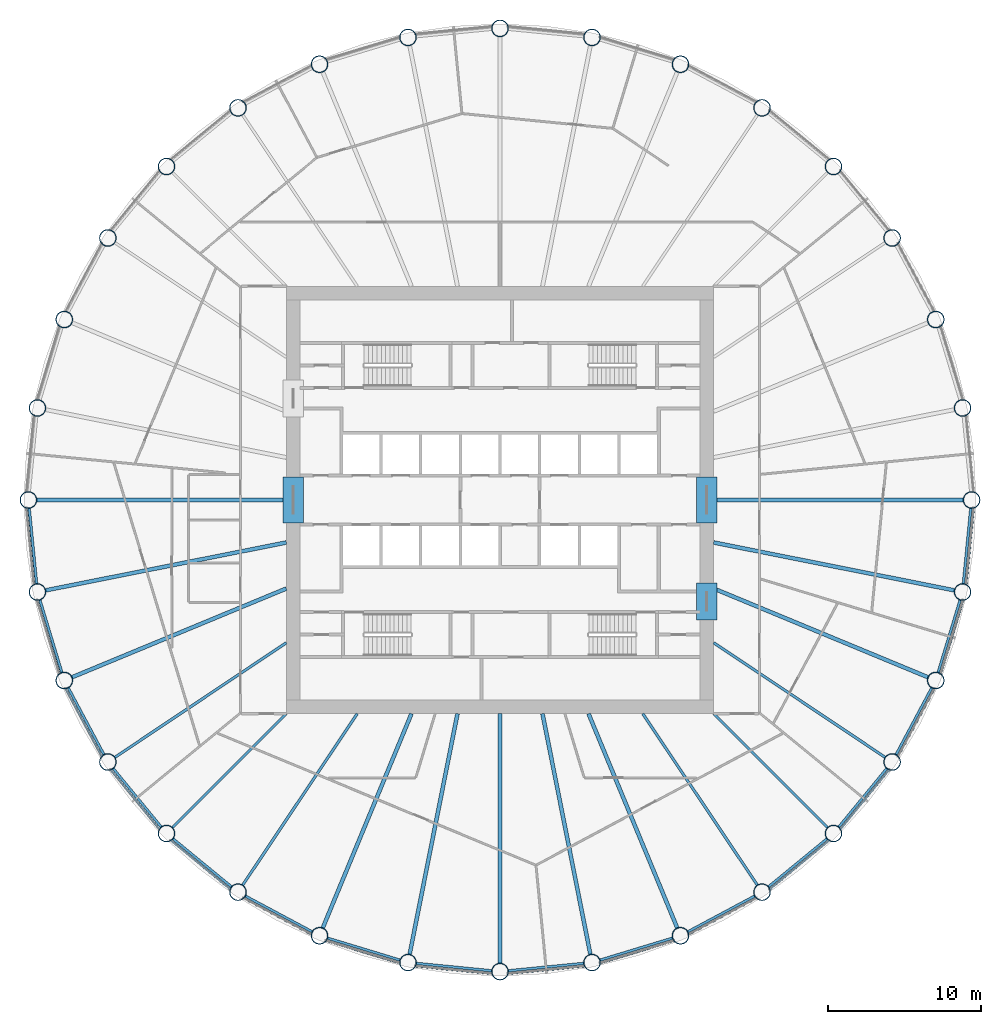
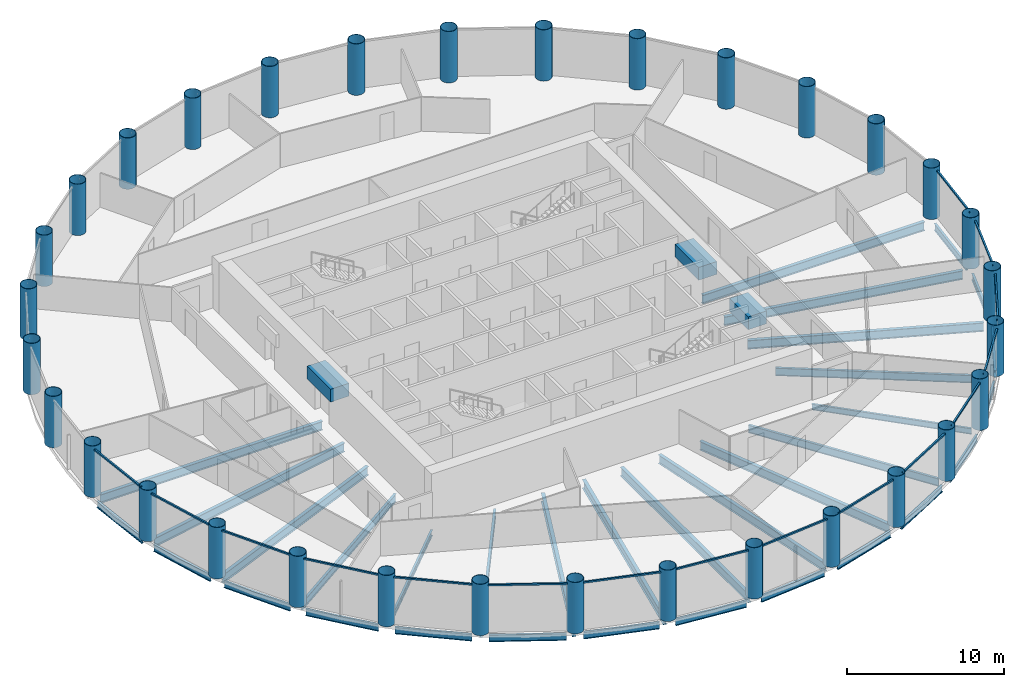
# One storey, part 1 of 9: 36 beams, 32 columns, 16 members, 16 elements without a shape of their own.
"""IFC4 building model written with IfcOpenShell, lengths in metres."""

import ifcopenshell
import ifcopenshell.guid

model = None  # the IFC model being written
_history = None  # IfcOwnerHistory: only IFC2X3 demands one
_inside = {}  # id of a spatial element -> (the spatial element, [elements in it])
_under = {}  # id of a project, library or spatial element -> (it, [spatial elements below it])
_declared = {}  # id of a project -> (the project, [libraries it declares])
_typed = {}  # id of a type object -> (the type object, [elements of that type])
_made_of = {}  # id of a material, layer set ... -> (it, [elements and type objects made of it])


def new_model(schema):
    """Start an empty IFC model of exactly this schema.

    Asked for "IFC4X3", IfcOpenShell would pick the latest addendum, in which some entities
    have other attributes; the version numbers below select the first issue.
    IFC2X3 requires an IfcOwnerHistory on every rooted entity: one is made here for all.
    """
    global model, _history
    if schema == "IFC4X3":
        model = ifcopenshell.file(schema_version=(4, 3, 0, 0))
    else:
        model = ifcopenshell.file(schema=schema)
    _inside.clear()
    _under.clear()
    _declared.clear()
    _typed.clear()
    _made_of.clear()
    _history = None
    if model.schema == "IFC2X3":
        org = make("IfcOrganization", Name="unknown")
        user = make(
            "IfcPersonAndOrganization",
            ThePerson=make("IfcPerson", FamilyName="unknown"),
            TheOrganization=org,
        )
        app = make(
            "IfcApplication",
            ApplicationDeveloper=org,
            Version="unknown",
            ApplicationFullName="unknown",
            ApplicationIdentifier="unknown",
        )
        _history = make(
            "IfcOwnerHistory",
            OwningUser=user,
            OwningApplication=app,
            ChangeAction="ADDED",
            CreationDate=0,
        )
    return model


def make(cls, **values):
    """One entity of the class cls with the attributes given. An attribute that is None is left unset."""
    return model.create_entity(
        cls, **{name: value for name, value in values.items() if value is not None}
    )


def rooted(cls, **values):
    """An entity with a GlobalId (a new one), such as an element, a storey or a relation."""
    return make(cls, GlobalId=ifcopenshell.guid.new(), OwnerHistory=_history, **values)


def si_unit(unit_type, name, prefix=None):
    """IfcSIUnit, for example si_unit("LENGTHUNIT", "METRE", prefix="MILLI")."""
    return make("IfcSIUnit", UnitType=unit_type, Prefix=prefix, Name=name)


def assignment(units):
    """IfcUnitAssignment: the units of a project."""
    return None if units is None else make("IfcUnitAssignment", Units=units)


def point(xyz):
    """IfcCartesianPoint."""
    return None if xyz is None else make("IfcCartesianPoint", Coordinates=xyz)


def direction(xyz):
    """IfcDirection."""
    return None if xyz is None else make("IfcDirection", DirectionRatios=xyz)


def frame(location, z_axis=None, x_axis=None):
    """IfcAxis2Placement3D, a coordinate frame: its origin and axes. An axis left out is left unset."""
    return make(
        "IfcAxis2Placement3D",
        Location=point(location),
        Axis=direction(z_axis),
        RefDirection=direction(x_axis),
    )


def frame_2d(location, x_axis=None):
    """IfcAxis2Placement2D, a coordinate frame in the plane: its origin and x axis."""
    return make(
        "IfcAxis2Placement2D", Location=point(location), RefDirection=direction(x_axis)
    )


def origin():
    """The frame at (0, 0, 0) with its axes left unset."""
    return frame((0.0, 0.0, 0.0))


def origin_2d():
    """The frame at (0, 0) in the plane with its x axis left unset."""
    return frame_2d((0.0, 0.0))


def place(relative_to, where):
    """IfcLocalPlacement: puts the frame where relative to a parent placement (None: the world)."""
    return make(
        "IfcLocalPlacement", PlacementRelTo=relative_to, RelativePlacement=where
    )


def context(
    kind, dimensions, precision=None, world=None, true_north=None, identifier=None
):
    """IfcGeometricRepresentationContext, for example the 3D "Model" context."""
    return make(
        "IfcGeometricRepresentationContext",
        ContextIdentifier=identifier,
        ContextType=kind,
        CoordinateSpaceDimension=dimensions,
        Precision=precision,
        WorldCoordinateSystem=world,
        TrueNorth=true_north,
    )


def subcontext(parent, identifier, kind, view, scale=None):
    """IfcGeometricRepresentationSubContext, for example "Body" below "Model"."""
    return make(
        "IfcGeometricRepresentationSubContext",
        ContextIdentifier=identifier,
        ContextType=kind,
        ParentContext=parent,
        TargetScale=scale,
        TargetView=view,
    )


def project(units=None, contexts=None):
    """IfcProject with its units and contexts."""
    return rooted(
        "IfcProject",
        Name="project",
        RepresentationContexts=contexts,
        UnitsInContext=assignment(units),
    )


def spatial(cls, under=None, at=None, **own):
    """A site, building, storey or space (cls), placed at a placement, below another one or the project."""
    s = rooted(cls, ObjectPlacement=at, **own)
    if under is not None:
        _under.setdefault(under.id(), (under, []))[1].append(s)
    return s


def profile(cls, at=None, kind="AREA", **sizes):
    """A parametric profile (cls). Its sizes go by their IFC names, for example OverallWidth=200.0."""
    return make(cls, ProfileType=kind, Position=at, **sizes)


def rectangle(**sizes):
    """IfcRectangleProfileDef."""
    return profile("IfcRectangleProfileDef", **sizes)


def hollow_circle(**sizes):
    """IfcCircleHollowProfileDef."""
    return profile("IfcCircleHollowProfileDef", **sizes)


def i_section(**sizes):
    """IfcIShapeProfileDef."""
    return profile("IfcIShapeProfileDef", **sizes)


def extrude(swept, where, along, depth):
    """IfcExtrudedAreaSolid: the profile swept, set in the frame where, extruded along a direction by depth."""
    return make(
        "IfcExtrudedAreaSolid",
        SweptArea=swept,
        Position=where,
        ExtrudedDirection=direction(along),
        Depth=depth,
    )


def shape(context_of_items, identifier, shape_type, items):
    """IfcShapeRepresentation: the items that make up one representation, for example the "Body"."""
    return make(
        "IfcShapeRepresentation",
        ContextOfItems=context_of_items,
        RepresentationIdentifier=identifier,
        RepresentationType=shape_type,
        Items=items,
    )


def material(Name=None, Category=None):
    """IfcMaterial."""
    return make("IfcMaterial", Name=Name, Category=Category)


def material_profile(
    of_material, cross_section, Name=None, Category=None, Priority=None
):
    """IfcMaterialProfile: a cross section and its material."""
    return make(
        "IfcMaterialProfile",
        Name=Name,
        Material=of_material,
        Profile=cross_section,
        Priority=Priority,
        Category=Category,
    )


def profile_set(profiles, Name=None, composite=None):
    """IfcMaterialProfileSet."""
    return make(
        "IfcMaterialProfileSet",
        Name=Name,
        MaterialProfiles=profiles,
        CompositeProfile=composite,
    )


def made_of(thing, what):
    """Note that an element or type object is made of a material, layer set ...; save() writes the relation."""
    if what is not None:
        _made_of.setdefault(what.id(), (what, []))[1].append(thing)
    return thing


def type_object(cls, material=None, **own):
    """A type object (cls), such as IfcWallType, which elements share."""
    return made_of(rooted(cls, **own), material)


def element(
    cls,
    number,
    at=None,
    inside=None,
    cuts=None,
    type_object=None,
    material=None,
    context=None,
    identifier="Body",
    shape_type=None,
    held_by="IfcProductDefinitionShape",
    body=None,
    shapes=None,
    **own,
):
    """One element of the class cls, such as IfcWall. Its Tag is "e" and its number.

    at: its placement. inside: the storey or other place that contains it. cuts: it is an
    opening in that element (IfcRelVoidsElement). A single representation is given by context,
    identifier, shape_type and body (its items); several are given by shapes. held_by: the class
    of the entity that holds the representations. save() writes the other relations.
    """
    e = rooted(cls, Tag="e%d" % number, ObjectPlacement=at, **own)
    if body is not None:
        shapes = [shape(context, identifier, shape_type, body)]
    if shapes is not None:
        e.Representation = make(held_by, Representations=shapes)
    if inside is not None:
        _inside.setdefault(inside.id(), (inside, []))[1].append(e)
    if cuts is not None:
        rooted(
            "IfcRelVoidsElement", RelatingBuildingElement=cuts, RelatedOpeningElement=e
        )
    if type_object is not None:
        _typed.setdefault(type_object.id(), (type_object, []))[1].append(e)
    return made_of(e, material)


def aggregate(whole, parts):
    """IfcRelAggregates: a whole, such as a stair, and the parts it consists of."""
    return rooted("IfcRelAggregates", RelatingObject=whole, RelatedObjects=parts)


def save(model, path):
    """Write the relations noted so far, then the file.

    IfcRelAggregates (storeys below a building ...), IfcRelContainedInSpatialStructure (elements
    in a storey), IfcRelDefinesByType, IfcRelAssociatesMaterial and IfcRelDeclares: one each for
    every whole, place, type object, material and project.
    """
    for whole, parts in _under.values():
        aggregate(whole, parts)
    for where, things in _inside.values():
        rooted(
            "IfcRelContainedInSpatialStructure",
            RelatedElements=things,
            RelatingStructure=where,
        )
    for kind, things in _typed.values():
        rooted("IfcRelDefinesByType", RelatedObjects=things, RelatingType=kind)
    for what, things in _made_of.values():
        rooted("IfcRelAssociatesMaterial", RelatedObjects=things, RelatingMaterial=what)
    for by, libraries in _declared.values():
        rooted("IfcRelDeclares", RelatingContext=by, RelatedDefinitions=libraries)
    model.write(path)


model = new_model("IFC4")

# Units and contexts
model_context = context("Model", 3, precision=1e-05, world=origin(), true_north=direction((0.0, 1.0)))
body_context = subcontext(model_context, "Body", "Model", "MODEL_VIEW")
ifc_project = project(units=[si_unit("LENGTHUNIT", "METRE"), si_unit("AREAUNIT", "SQUARE_METRE"), si_unit("VOLUMEUNIT", "CUBIC_METRE"), si_unit("PLANEANGLEUNIT", "RADIAN"), si_unit("MASSUNIT", "GRAM", prefix="KILO")], contexts=[model_context])

# Site, building, storey
site_placement = place(None, origin())
site = spatial("IfcSite", under=ifc_project, at=site_placement, CompositionType="ELEMENT")
building_placement = place(site_placement, origin())
building = spatial("IfcBuilding", under=site, at=building_placement, Name="Corvane Civic Tower", CompositionType="ELEMENT")
storey_placement = place(building_placement, frame((0.0, 0.0, 192.0)))
storey = spatial("IfcBuildingStorey", under=building, at=storey_placement, Name="L45", CompositionType="ELEMENT", Elevation=192.0)

# Columns
ifc_material_1 = material(Name="Steel ASTM A572 Gr 50", Category="steel")
ifc_material_profile_1 = material_profile(ifc_material_1, hollow_circle(Radius=0.550048828125, WallThickness=0.031982421875, at=origin_2d()), Name="CHS1100X32")
ifc_profile_set_1 = profile_set([ifc_material_profile_1], Name="Steel ASTM A572 Gr 50")
column_type = type_object("IfcColumnType", Name="COMPOSITE COLUMN CHS1100X32", PredefinedType="COLUMN", material=ifc_profile_set_1)
for number, where, z_axis, x_axis, name in (
    (1, (0.0, 30.89990234375, 0.0), (0.0, 0.0, 1.0), (1.0, 0.0, 0.0), "COL-L45-C01"),
    (2, (6.0283203125, 30.30615234375, 0.0), (0.0, 0.0, 1.0), (1.0, 0.0, 0.0), "COL-L45-C02"),
    (3, (11.824951171875, 28.5478515625, 0.0), (0.0, 0.0, 1.0), (1.0, 0.0, 0.0), "COL-L45-C03"),
    (4, (17.167236328125, 25.6923828125, 0.0), (0.0, 0.0, 1.0), (1.0, 0.0, 0.0), "COL-L45-C04"),
    (5, (21.849609375, 21.849609375, 0.0), (0.0, 0.0, 1.0), (1.0, 0.0, 0.0), "COL-L45-C05"),
    (6, (25.6923828125, 17.167236328125, 0.0), (0.0, 0.0, 1.0), (1.0, 0.0, 0.0), "COL-L45-C06"),
    (7, (28.5478515625, 11.824951171875, 0.0), (0.0, 0.0, 1.0), (1.0, 0.0, 0.0), "COL-L45-C07"),
    (8, (30.30615234375, 6.0283203125, 0.0), (0.0, 0.0, 1.0), (1.0, 0.0, 0.0), "COL-L45-C08"),
    (9, (30.89990234375, 0.0, 0.0), (0.0, 0.0, 1.0), (1.0, 0.0, 0.0), "COL-L45-C09"),
    (10, (30.30615234375, -6.0283203125, 0.0), (0.0, 0.0, 1.0), (1.0, 0.0, 0.0), "COL-L45-C10"),
    (11, (28.5478515625, -11.824951171875, 0.0), (0.0, 0.0, 1.0), (1.0, 0.0, 0.0), "COL-L45-C11"),
    (12, (25.6923828125, -17.167236328125, 0.0), (0.0, 0.0, 1.0), (1.0, 0.0, 0.0), "COL-L45-C12"),
    (13, (21.849609375, -21.849609375, 0.0), (0.0, 0.0, 1.0), (1.0, 0.0, 0.0), "COL-L45-C13"),
    (14, (17.167236328125, -25.6923828125, 0.0), (0.0, 0.0, 1.0), (1.0, 0.0, 0.0), "COL-L45-C14"),
    (15, (11.824951171875, -28.5478515625, 0.0), (0.0, 0.0, 1.0), (1.0, 0.0, 0.0), "COL-L45-C15"),
    (16, (6.0283203125, -30.30615234375, 0.0), (0.0, 0.0, 1.0), (1.0, 0.0, 0.0), "COL-L45-C16"),
    (17, (0.0, -30.89990234375, 0.0), (0.0, 0.0, 1.0), (1.0, 0.0, 0.0), "COL-L45-C17"),
    (18, (-6.0283203125, -30.30615234375, 0.0), (0.0, 0.0, 1.0), (1.0, 0.0, 0.0), "COL-L45-C18"),
    (19, (-11.824951171875, -28.5478515625, 0.0), (0.0, 0.0, 1.0), (1.0, 0.0, 0.0), "COL-L45-C19"),
    (20, (-17.167236328125, -25.6923828125, 0.0), (0.0, 0.0, 1.0), (1.0, 0.0, 0.0), "COL-L45-C20"),
    (21, (-21.849609375, -21.849609375, 0.0), (0.0, 0.0, 1.0), (1.0, 0.0, 0.0), "COL-L45-C21"),
    (22, (-25.6923828125, -17.167236328125, 0.0), (0.0, 0.0, 1.0), (1.0, 0.0, 0.0), "COL-L45-C22"),
    (23, (-28.5478515625, -11.824951171875, 0.0), (0.0, 0.0, 1.0), (1.0, 0.0, 0.0), "COL-L45-C23"),
    (24, (-30.30615234375, -6.0283203125, 0.0), (0.0, 0.0, 1.0), (1.0, 0.0, 0.0), "COL-L45-C24"),
    (25, (-30.89990234375, 0.0, 0.0), (0.0, 0.0, 1.0), (1.0, 0.0, 0.0), "COL-L45-C25"),
    (26, (-30.30615234375, 6.0283203125, 0.0), (0.0, 0.0, 1.0), (1.0, 0.0, 0.0), "COL-L45-C26"),
    (27, (-28.5478515625, 11.824951171875, 0.0), (0.0, 0.0, 1.0), (1.0, 0.0, 0.0), "COL-L45-C27"),
    (28, (-25.6923828125, 17.167236328125, 0.0), (0.0, 0.0, 1.0), (1.0, 0.0, 0.0), "COL-L45-C28"),
    (29, (-21.849609375, 21.849609375, 0.0), (0.0, 0.0, 1.0), (1.0, 0.0, 0.0), "COL-L45-C29"),
    (30, (-17.167236328125, 25.6923828125, 0.0), (0.0, 0.0, 1.0), (1.0, 0.0, 0.0), "COL-L45-C30"),
    (31, (-11.824951171875, 28.5478515625, 0.0), (0.0, 0.0, 1.0), (1.0, 0.0, 0.0), "COL-L45-C31"),
    (32, (-6.0283203125, 30.30615234375, 0.0), (0.0, 0.0, 1.0), (1.0, 0.0, 0.0), "COL-L45-C32"),
):
    element("IfcColumn", number, at=place(storey_placement, frame(where, z_axis=z_axis, x_axis=x_axis)), inside=storey, type_object=column_type, Name=name, PredefinedType="COLUMN", context=body_context, shape_type="SweptSolid", body=[
        extrude(hollow_circle(Radius=0.550048828125, WallThickness=0.031982421875, at=origin_2d()), origin(), (0.0, 0.0, 1.0), 4.0),
    ])

# Beams
ifc_material_2 = material(Name="Concrete C60/75", Category="concrete")
ifc_material_profile_2 = material_profile(ifc_material_2, rectangle(XDim=1.35009765625, YDim=1.0, at=origin_2d()), Name="COUPLING BEAM 1350X1000")
ifc_profile_set_2 = profile_set([ifc_material_profile_2], Name="Concrete C60/75")
beam_type_1 = type_object("IfcBeamType", Name="COUPLING BEAM COUPLING BEAM 1350X1000", PredefinedType="BEAM", material=ifc_profile_set_2)
for number, where, z_axis, x_axis, name in (
    (33, (-13.550048828125, -1.5, 2.60009765625), (0.0, 1.0, 0.0), (-1.0, 0.0, 0.0), "BM-L45-cpl-CW-LW"),
    (34, (13.550048828125, -1.5, 2.60009765625), (0.0, 1.0, 0.0), (-1.0, 0.0, 0.0), "BM-L45-cpl-CW-LE"),
):
    element("IfcBeam", number, at=place(storey_placement, frame(where, z_axis=z_axis, x_axis=x_axis)), inside=storey, type_object=beam_type_1, Name=name, PredefinedType="BEAM", context=body_context, shape_type="SweptSolid", body=[
        extrude(rectangle(XDim=1.35009765625, YDim=1.0, at=origin_2d()), origin(), (0.0, 0.0, 1.0), 3.0),
    ])
beam_1_placement = place(storey_placement, frame((13.550048828125, -7.85009765625, 2.60009765625), z_axis=(0.0, 1.0, 0.0), x_axis=(-1.0, 0.0, 0.0)))
element("IfcBeam", 35, at=beam_1_placement, inside=storey, type_object=beam_type_1, Name="BM-L45-cpl-CW-ES", PredefinedType="BEAM", context=body_context, shape_type="SweptSolid", body=[
    extrude(rectangle(XDim=1.35009765625, YDim=1.0, at=origin_2d()), origin(), (0.0, 0.0, 1.0), 2.400146484375),
])
ifc_material_3 = material(Name="Steel ASTM A992 Gr 50", Category="steel")
ifc_material_profile_3 = material_profile(ifc_material_3, i_section(OverallWidth=0.165771484375, OverallDepth=0.5283203125, WebThickness=0.009765625, FlangeThickness=0.013671875, at=origin_2d()), Name="W21X50")
ifc_profile_set_3 = profile_set([ifc_material_profile_3], Name="Steel ASTM A992 Gr 50")
beam_type_2 = type_object("IfcBeamType", Name="EDGE BEAM W21X50", PredefinedType="BEAM", material=ifc_profile_set_3)
beam_2_placement = place(storey_placement, frame((30.845947265625, -0.54736328125, -0.564208984375), z_axis=(-0.09800181167, -0.995186236294, 0.0), x_axis=(0.995186236294, -0.09800181167, 0.0)))
element("IfcBeam", 36, at=beam_2_placement, inside=storey, type_object=beam_type_2, Name="BM-L45-E09", PredefinedType="BEAM", context=body_context, shape_type="SweptSolid", body=[
    extrude(i_section(OverallWidth=0.165771484375, OverallDepth=0.5283203125, WebThickness=0.009765625, FlangeThickness=0.013671875, at=origin_2d()), origin(), (0.0, 0.0, 1.0), 4.95751953125),
])
beam_3_placement = place(storey_placement, frame((30.146484375, -6.5546875, -0.564208984375), z_axis=(-0.290269821381, -0.956944842086, 0.0), x_axis=(0.956944842086, -0.290269821381, 0.0)))
element("IfcBeam", 37, at=beam_3_placement, inside=storey, type_object=beam_type_2, Name="BM-L45-E10", PredefinedType="BEAM", context=body_context, shape_type="SweptSolid", body=[
    extrude(i_section(OverallWidth=0.165771484375, OverallDepth=0.5283203125, WebThickness=0.009765625, FlangeThickness=0.013671875, at=origin_2d()), origin(), (0.0, 0.0, 1.0), 4.957275390625),
])
for number, where, z_axis, x_axis, name in (
    (38, (28.28857421875, -12.31005859375, -0.564208984375), (-0.471395763042, -0.881921784846, 0.0), (0.881921784846, -0.471395763042, 0.0), "BM-L45-E11"),
    (39, (25.343505859375, -17.59228515625, -0.564208984375), (-0.634387546532, -0.77301516208, 0.0), (0.77301516208, -0.634387546532, 0.0), "BM-L45-E12"),
    (40, (21.424560546875, -22.198486328125, -0.564208984375), (-0.77301516208, -0.634387546532, 0.0), (0.634387546532, -0.77301516208, 0.0), "BM-L45-E13"),
    (41, (16.68212890625, -25.95166015625, -0.564208984375), (-0.881921784846, -0.471395763042, 0.0), (0.471395763042, -0.881921784846, 0.0), "BM-L45-E14"),
):
    element("IfcBeam", number, at=place(storey_placement, frame(where, z_axis=z_axis, x_axis=x_axis)), inside=storey, type_object=beam_type_2, Name=name, PredefinedType="BEAM", context=body_context, shape_type="SweptSolid", body=[
        extrude(i_section(OverallWidth=0.165771484375, OverallDepth=0.5283203125, WebThickness=0.009765625, FlangeThickness=0.013671875, at=origin_2d()), origin(), (0.0, 0.0, 1.0), 4.95751953125),
    ])
beam_4_placement = place(storey_placement, frame((11.298583984375, -28.70751953125, -0.564208984375), z_axis=(-0.956944842086, -0.290269821381, 0.0), x_axis=(0.290269821381, -0.956944842086, 0.0)))
element("IfcBeam", 42, at=beam_4_placement, inside=storey, type_object=beam_type_2, Name="BM-L45-E15", PredefinedType="BEAM", context=body_context, shape_type="SweptSolid", body=[
    extrude(i_section(OverallWidth=0.165771484375, OverallDepth=0.5283203125, WebThickness=0.009765625, FlangeThickness=0.013671875, at=origin_2d()), origin(), (0.0, 0.0, 1.0), 4.957275390625),
])
for number, where, z_axis, x_axis, name in (
    (43, (5.48095703125, -30.360107421875, -0.564208984375), (-0.995186236294, -0.09800181167, 0.0), (0.09800181167, -0.995186236294, 0.0), "BM-L45-E16"),
    (44, (-0.54736328125, -30.845947265625, -0.564208984375), (-0.995186236294, 0.09800181167, 0.0), (-0.09800181167, -0.995186236294, 0.0), "BM-L45-E17"),
):
    element("IfcBeam", number, at=place(storey_placement, frame(where, z_axis=z_axis, x_axis=x_axis)), inside=storey, type_object=beam_type_2, Name=name, PredefinedType="BEAM", context=body_context, shape_type="SweptSolid", body=[
        extrude(i_section(OverallWidth=0.165771484375, OverallDepth=0.5283203125, WebThickness=0.009765625, FlangeThickness=0.013671875, at=origin_2d()), origin(), (0.0, 0.0, 1.0), 4.95751953125),
    ])
beam_5_placement = place(storey_placement, frame((-6.5546875, -30.146484375, -0.564208984375), z_axis=(-0.956944842086, 0.290269821381, 0.0), x_axis=(-0.290269821381, -0.956944842086, 0.0)))
element("IfcBeam", 45, at=beam_5_placement, inside=storey, type_object=beam_type_2, Name="BM-L45-E18", PredefinedType="BEAM", context=body_context, shape_type="SweptSolid", body=[
    extrude(i_section(OverallWidth=0.165771484375, OverallDepth=0.5283203125, WebThickness=0.009765625, FlangeThickness=0.013671875, at=origin_2d()), origin(), (0.0, 0.0, 1.0), 4.957275390625),
])
for number, where, z_axis, x_axis, name in (
    (46, (-12.31005859375, -28.28857421875, -0.564208984375), (-0.881921784846, 0.471395763042, 0.0), (-0.471395763042, -0.881921784846, 0.0), "BM-L45-E19"),
    (47, (-17.59228515625, -25.343505859375, -0.564208984375), (-0.77301516208, 0.634387546532, 0.0), (-0.634387546532, -0.77301516208, 0.0), "BM-L45-E20"),
    (48, (-22.198486328125, -21.424560546875, -0.564208984375), (-0.634387546532, 0.77301516208, 0.0), (-0.77301516208, -0.634387546532, 0.0), "BM-L45-E21"),
    (49, (-25.95166015625, -16.68212890625, -0.564208984375), (-0.471395763042, 0.881921784846, 0.0), (-0.881921784846, -0.471395763042, 0.0), "BM-L45-E22"),
):
    element("IfcBeam", number, at=place(storey_placement, frame(where, z_axis=z_axis, x_axis=x_axis)), inside=storey, type_object=beam_type_2, Name=name, PredefinedType="BEAM", context=body_context, shape_type="SweptSolid", body=[
        extrude(i_section(OverallWidth=0.165771484375, OverallDepth=0.5283203125, WebThickness=0.009765625, FlangeThickness=0.013671875, at=origin_2d()), origin(), (0.0, 0.0, 1.0), 4.95751953125),
    ])
beam_6_placement = place(storey_placement, frame((-28.70751953125, -11.298583984375, -0.564208984375), z_axis=(-0.290269821381, 0.956944842086, 0.0), x_axis=(-0.956944842086, -0.290269821381, 0.0)))
element("IfcBeam", 50, at=beam_6_placement, inside=storey, type_object=beam_type_2, Name="BM-L45-E23", PredefinedType="BEAM", context=body_context, shape_type="SweptSolid", body=[
    extrude(i_section(OverallWidth=0.165771484375, OverallDepth=0.5283203125, WebThickness=0.009765625, FlangeThickness=0.013671875, at=origin_2d()), origin(), (0.0, 0.0, 1.0), 4.957275390625),
])
beam_7_placement = place(storey_placement, frame((-30.360107421875, -5.48095703125, -0.564208984375), z_axis=(-0.09800181167, 0.995186236294, 0.0), x_axis=(-0.995186236294, -0.09800181167, 0.0)))
element("IfcBeam", 51, at=beam_7_placement, inside=storey, type_object=beam_type_2, Name="BM-L45-E24", PredefinedType="BEAM", context=body_context, shape_type="SweptSolid", body=[
    extrude(i_section(OverallWidth=0.165771484375, OverallDepth=0.5283203125, WebThickness=0.009765625, FlangeThickness=0.013671875, at=origin_2d()), origin(), (0.0, 0.0, 1.0), 4.95751953125),
])
ifc_material_4 = material(Name="Steel ASTM A992 Gr 50", Category="steel")
ifc_material_profile_4 = material_profile(ifc_material_4, i_section(OverallWidth=0.15283203125, OverallDepth=0.45458984375, WebThickness=0.008056640625, FlangeThickness=0.013427734375, at=origin_2d()), Name="W18X40")
ifc_profile_set_4 = profile_set([ifc_material_profile_4], Name="Steel ASTM A992 Gr 50")
beam_type_3 = type_object("IfcBeamType", Name="FLOOR GIRDER W18X40", PredefinedType="BEAM", material=ifc_profile_set_4)
for number, where, z_axis, x_axis, name in (
    (52, (14.0, -14.0, -0.52734375), (0.707106781187, -0.707106781187, 0.0), (0.707106781187, 0.707106781187, 0.0), "BM-L45-G13"),
    (53, (-14.0, -14.0, -0.52734375), (-0.707106781187, -0.707106781187, 0.0), (0.707106781187, -0.707106781187, 0.0), "BM-L45-G21"),
):
    element("IfcBeam", number, at=place(storey_placement, frame(where, z_axis=z_axis, x_axis=x_axis)), inside=storey, type_object=beam_type_3, Name=name, PredefinedType="BEAM", context=body_context, shape_type="SweptSolid", body=[
        extrude(i_section(OverallWidth=0.15283203125, OverallDepth=0.45458984375, WebThickness=0.008056640625, FlangeThickness=0.013427734375, at=origin_2d()), origin(), (0.0, 0.0, 1.0), 10.551025390625),
    ])
ifc_material_5 = material(Name="Steel ASTM A992 Gr 50", Category="steel")
ifc_material_profile_5 = material_profile(ifc_material_5, i_section(OverallWidth=0.177978515625, OverallDepth=0.599365234375, WebThickness=0.010009765625, FlangeThickness=0.012939453125, at=origin_2d()), Name="W24X55")
ifc_profile_set_5 = profile_set([ifc_material_profile_5], Name="Steel ASTM A992 Gr 50")
beam_type_4 = type_object("IfcBeamType", Name="FLOOR GIRDER W24X55", PredefinedType="BEAM", material=ifc_profile_set_5)
for number, where, z_axis, x_axis, name in (
    (54, (14.0, -9.3544921875, -0.599609375), (0.83146888399, -0.555571323015, 0.0), (0.555571323015, 0.83146888399, 0.0), "BM-L45-G12"),
    (55, (9.3544921875, -14.0, -0.599609375), (0.555571323015, -0.83146888399, 0.0), (0.83146888399, 0.555571323015, 0.0), "BM-L45-G14"),
    (56, (-9.3544921875, -14.0, -0.599609375), (-0.555571323015, -0.83146888399, 0.0), (0.83146888399, -0.555571323015, 0.0), "BM-L45-G20"),
    (57, (-14.0, -9.3544921875, -0.599609375), (-0.83146888399, -0.555571323015, 0.0), (0.555571323015, -0.83146888399, 0.0), "BM-L45-G22"),
):
    element("IfcBeam", number, at=place(storey_placement, frame(where, z_axis=z_axis, x_axis=x_axis)), inside=storey, type_object=beam_type_4, Name=name, PredefinedType="BEAM", context=body_context, shape_type="SweptSolid", body=[
        extrude(i_section(OverallWidth=0.177978515625, OverallDepth=0.599365234375, WebThickness=0.010009765625, FlangeThickness=0.012939453125, at=origin_2d()), origin(), (0.0, 0.0, 1.0), 13.512451171875),
    ])
ifc_material_6 = material(Name="Steel ASTM A992 Gr 50", Category="steel")
ifc_material_profile_6 = material_profile(ifc_material_6, i_section(OverallWidth=0.25390625, OverallDepth=0.67822265625, WebThickness=0.01171875, FlangeThickness=0.016357421875, at=origin_2d()), Name="W27X84")
ifc_profile_set_6 = profile_set([ifc_material_profile_6], Name="Steel ASTM A992 Gr 50")
beam_type_5 = type_object("IfcBeamType", Name="FLOOR GIRDER W27X84", PredefinedType="BEAM", material=ifc_profile_set_6)
beam_8_placement = place(storey_placement, frame((14.0, 0.0, -0.63916015625), z_axis=(1.0, 0.0, 0.0), x_axis=(0.0, 1.0, 0.0)))
element("IfcBeam", 58, at=beam_8_placement, inside=storey, type_object=beam_type_5, Name="BM-L45-G09", PredefinedType="BEAM", context=body_context, shape_type="SweptSolid", body=[
    extrude(i_section(OverallWidth=0.25390625, OverallDepth=0.67822265625, WebThickness=0.01171875, FlangeThickness=0.016357421875, at=origin_2d()), origin(), (0.0, 0.0, 1.0), 16.35009765625),
])
beam_9_placement = place(storey_placement, frame((14.0, -2.78466796875, -0.63916015625), z_axis=(0.980785162999, -0.195090912248, 0.0), x_axis=(0.195090912248, 0.980785162999, 0.0)))
element("IfcBeam", 59, at=beam_9_placement, inside=storey, type_object=beam_type_5, Name="BM-L45-G10", PredefinedType="BEAM", context=body_context, shape_type="SweptSolid", body=[
    extrude(i_section(OverallWidth=0.25390625, OverallDepth=0.67822265625, WebThickness=0.01171875, FlangeThickness=0.016357421875, at=origin_2d()), origin(), (0.0, 0.0, 1.0), 16.07568359375),
])
for number, where, z_axis, x_axis, name in (
    (60, (14.0, -5.799072265625, -0.63916015625), (0.923880551114, -0.38268097323, 0.0), (0.38268097323, 0.923880551114, 0.0), "BM-L45-G11"),
    (61, (5.799072265625, -14.0, -0.63916015625), (0.38268097323, -0.923880551114, 0.0), (0.923880551114, 0.38268097323, 0.0), "BM-L45-G15"),
):
    element("IfcBeam", number, at=place(storey_placement, frame(where, z_axis=z_axis, x_axis=x_axis)), inside=storey, type_object=beam_type_5, Name=name, PredefinedType="BEAM", context=body_context, shape_type="SweptSolid", body=[
        extrude(i_section(OverallWidth=0.25390625, OverallDepth=0.67822265625, WebThickness=0.01171875, FlangeThickness=0.016357421875, at=origin_2d()), origin(), (0.0, 0.0, 1.0), 15.196533203125),
    ])
beam_10_placement = place(storey_placement, frame((2.78466796875, -14.0, -0.63916015625), z_axis=(0.195090912248, -0.980785162999, 0.0), x_axis=(0.980785162999, 0.195090912248, 0.0)))
element("IfcBeam", 62, at=beam_10_placement, inside=storey, type_object=beam_type_5, Name="BM-L45-G16", PredefinedType="BEAM", context=body_context, shape_type="SweptSolid", body=[
    extrude(i_section(OverallWidth=0.25390625, OverallDepth=0.67822265625, WebThickness=0.01171875, FlangeThickness=0.016357421875, at=origin_2d()), origin(), (0.0, 0.0, 1.0), 16.07568359375),
])
beam_11_placement = place(storey_placement, frame((0.0, -14.0, -0.63916015625), z_axis=(0.0, -1.0, 0.0), x_axis=(1.0, 0.0, 0.0)))
element("IfcBeam", 63, at=beam_11_placement, inside=storey, type_object=beam_type_5, Name="BM-L45-G17", PredefinedType="BEAM", context=body_context, shape_type="SweptSolid", body=[
    extrude(i_section(OverallWidth=0.25390625, OverallDepth=0.67822265625, WebThickness=0.01171875, FlangeThickness=0.016357421875, at=origin_2d()), origin(), (0.0, 0.0, 1.0), 16.35009765625),
])
beam_12_placement = place(storey_placement, frame((-2.78466796875, -14.0, -0.63916015625), z_axis=(-0.195090912248, -0.980785162999, 0.0), x_axis=(0.980785162999, -0.195090912248, 0.0)))
element("IfcBeam", 64, at=beam_12_placement, inside=storey, type_object=beam_type_5, Name="BM-L45-G18", PredefinedType="BEAM", context=body_context, shape_type="SweptSolid", body=[
    extrude(i_section(OverallWidth=0.25390625, OverallDepth=0.67822265625, WebThickness=0.01171875, FlangeThickness=0.016357421875, at=origin_2d()), origin(), (0.0, 0.0, 1.0), 16.07568359375),
])
for number, where, z_axis, x_axis, name in (
    (65, (-5.799072265625, -14.0, -0.63916015625), (-0.38268097323, -0.923880551114, 0.0), (0.923880551114, -0.38268097323, 0.0), "BM-L45-G19"),
    (66, (-14.0, -5.799072265625, -0.63916015625), (-0.923880551114, -0.38268097323, 0.0), (0.38268097323, -0.923880551114, 0.0), "BM-L45-G23"),
):
    element("IfcBeam", number, at=place(storey_placement, frame(where, z_axis=z_axis, x_axis=x_axis)), inside=storey, type_object=beam_type_5, Name=name, PredefinedType="BEAM", context=body_context, shape_type="SweptSolid", body=[
        extrude(i_section(OverallWidth=0.25390625, OverallDepth=0.67822265625, WebThickness=0.01171875, FlangeThickness=0.016357421875, at=origin_2d()), origin(), (0.0, 0.0, 1.0), 15.196533203125),
    ])
beam_13_placement = place(storey_placement, frame((-14.0, -2.78466796875, -0.63916015625), z_axis=(-0.980785162999, -0.195090912248, 0.0), x_axis=(0.195090912248, -0.980785162999, 0.0)))
element("IfcBeam", 67, at=beam_13_placement, inside=storey, type_object=beam_type_5, Name="BM-L45-G24", PredefinedType="BEAM", context=body_context, shape_type="SweptSolid", body=[
    extrude(i_section(OverallWidth=0.25390625, OverallDepth=0.67822265625, WebThickness=0.01171875, FlangeThickness=0.016357421875, at=origin_2d()), origin(), (0.0, 0.0, 1.0), 16.07568359375),
])
beam_14_placement = place(storey_placement, frame((-14.0, 0.0, -0.63916015625), z_axis=(-1.0, 0.0, 0.0), x_axis=(0.0, -1.0, 0.0)))
element("IfcBeam", 68, at=beam_14_placement, inside=storey, type_object=beam_type_5, Name="BM-L45-G25", PredefinedType="BEAM", context=body_context, shape_type="SweptSolid", body=[
    extrude(i_section(OverallWidth=0.25390625, OverallDepth=0.67822265625, WebThickness=0.01171875, FlangeThickness=0.016357421875, at=origin_2d()), origin(), (0.0, 0.0, 1.0), 16.35009765625),
])

# Curtain wall, member
ifc_material_7 = material(Name="Anodised aluminium bronze", Category="aluminium")
curtain_wall_type = type_object("IfcCurtainWallType", Name="TOWER CW-T2 STICK CURTAIN WALL", PredefinedType="NOTDEFINED", material=ifc_material_7)
curtain_wall_1_placement = place(storey_placement, origin())
curtain_wall_1 = element("IfcCurtainWall", 69, at=curtain_wall_1_placement, inside=storey, type_object=curtain_wall_type, Name="Curtain wall CW-T2 L45 bay 09", PredefinedType="NOTDEFINED")
ifc_material_8 = material(Name="Anodised aluminium bronze", Category="aluminium")
ifc_material_profile_7 = material_profile(ifc_material_8, rectangle(XDim=0.1201171875, YDim=0.1201171875, at=origin_2d()), Name="TOWER CW-T2 TRANSOM 120x120")
ifc_profile_set_7 = profile_set([ifc_material_profile_7], Name="Anodised aluminium bronze")
member_type = type_object("IfcMemberType", Name="TOWER CW-T2 TRANSOM 120x120", PredefinedType="USERDEFINED", material=ifc_profile_set_7)
member_1_placement = place(storey_placement, frame((31.0302734375, -0.505126953125, 3.68994140625), z_axis=(-0.097989755963, -0.995187423416, 0.0), x_axis=(0.995187423416, -0.097989755963, 0.0)))
member_1 = element("IfcMember", 70, at=member_1_placement, type_object=member_type, Name="Transom CW-T2 L45 09.1", ObjectType="TRANSOM", PredefinedType="USERDEFINED", context=body_context, shape_type="SweptSolid", body=[
    extrude(rectangle(XDim=0.1201171875, YDim=0.1201171875, at=origin_2d()), origin(), (0.0, 0.0, 1.0), 5.07763671875),
])
aggregate(curtain_wall_1, [member_1])

curtain_wall_2_placement = place(storey_placement, origin())
curtain_wall_2 = element("IfcCurtainWall", 71, at=curtain_wall_2_placement, inside=storey, type_object=curtain_wall_type, Name="Curtain wall CW-T2 L45 bay 10", PredefinedType="NOTDEFINED")
member_2_placement = place(storey_placement, frame((30.33544921875, -6.54931640625, 3.68994140625), z_axis=(-0.290288977061, -0.956939031389, 0.0), x_axis=(0.956939031389, -0.290288977061, 0.0)))
member_2 = element("IfcMember", 72, at=member_2_placement, type_object=member_type, Name="Transom CW-T2 L45 10.1", ObjectType="TRANSOM", PredefinedType="USERDEFINED", context=body_context, shape_type="SweptSolid", body=[
    extrude(rectangle(XDim=0.1201171875, YDim=0.1201171875, at=origin_2d()), origin(), (0.0, 0.0, 1.0), 5.077392578125),
])
aggregate(curtain_wall_2, [member_2])

curtain_wall_3_placement = place(storey_placement, origin())
curtain_wall_3 = element("IfcCurtainWall", 73, at=curtain_wall_3_placement, inside=storey, type_object=curtain_wall_type, Name="Curtain wall CW-T2 L45 bay 11", PredefinedType="NOTDEFINED")
member_3_placement = place(storey_placement, frame((28.474853515625, -12.341552734375, 3.68994140625), z_axis=(-0.471396615074, -0.881921329426, 0.0), x_axis=(0.881921329426, -0.471396615074, 0.0)))
member_3 = element("IfcMember", 74, at=member_3_placement, type_object=member_type, Name="Transom CW-T2 L45 11.1", ObjectType="TRANSOM", PredefinedType="USERDEFINED", context=body_context, shape_type="SweptSolid", body=[
    extrude(rectangle(XDim=0.1201171875, YDim=0.1201171875, at=origin_2d()), origin(), (0.0, 0.0, 1.0), 5.07763671875),
])
aggregate(curtain_wall_3, [member_3])

curtain_wall_4_placement = place(storey_placement, origin())
curtain_wall_4 = element("IfcCurtainWall", 75, at=curtain_wall_4_placement, inside=storey, type_object=curtain_wall_type, Name="Curtain wall CW-T2 L45 bay 12", PredefinedType="NOTDEFINED")
member_4_placement = place(storey_placement, frame((25.519775390625, -17.65966796875, 3.68994140625), z_axis=(-0.634386611146, -0.773015929719, 0.0), x_axis=(0.773015929719, -0.634386611146, 0.0)))
member_4 = element("IfcMember", 76, at=member_4_placement, type_object=member_type, Name="Transom CW-T2 L45 12.1", ObjectType="TRANSOM", PredefinedType="USERDEFINED", context=body_context, shape_type="SweptSolid", body=[
    extrude(rectangle(XDim=0.1201171875, YDim=0.1201171875, at=origin_2d()), origin(), (0.0, 0.0, 1.0), 5.0771484375),
])
aggregate(curtain_wall_4, [member_4])

curtain_wall_5_placement = place(storey_placement, origin())
curtain_wall_5 = element("IfcCurtainWall", 77, at=curtain_wall_5_placement, inside=storey, type_object=curtain_wall_type, Name="Curtain wall CW-T2 L45 bay 13", PredefinedType="NOTDEFINED")
member_5_placement = place(storey_placement, frame((21.58447265625, -22.298828125, 3.68994140625), z_axis=(-0.773015929719, -0.634386611146, 0.0), x_axis=(0.634386611146, -0.773015929719, 0.0)))
member_5 = element("IfcMember", 78, at=member_5_placement, type_object=member_type, Name="Transom CW-T2 L45 13.1", ObjectType="TRANSOM", PredefinedType="USERDEFINED", context=body_context, shape_type="SweptSolid", body=[
    extrude(rectangle(XDim=0.1201171875, YDim=0.1201171875, at=origin_2d()), origin(), (0.0, 0.0, 1.0), 5.0771484375),
])
aggregate(curtain_wall_5, [member_5])

curtain_wall_6_placement = place(storey_placement, origin())
curtain_wall_6 = element("IfcCurtainWall", 79, at=curtain_wall_6_placement, inside=storey, type_object=curtain_wall_type, Name="Curtain wall CW-T2 L45 bay 14", PredefinedType="NOTDEFINED")
member_6_placement = place(storey_placement, frame((16.819580078125, -26.081298828125, 3.68994140625), z_axis=(-0.881921329426, -0.471396615074, 0.0), x_axis=(0.471396615074, -0.881921329426, 0.0)))
member_6 = element("IfcMember", 80, at=member_6_placement, type_object=member_type, Name="Transom CW-T2 L45 14.1", ObjectType="TRANSOM", PredefinedType="USERDEFINED", context=body_context, shape_type="SweptSolid", body=[
    extrude(rectangle(XDim=0.1201171875, YDim=0.1201171875, at=origin_2d()), origin(), (0.0, 0.0, 1.0), 5.07763671875),
])
aggregate(curtain_wall_6, [member_6])

curtain_wall_7_placement = place(storey_placement, origin())
curtain_wall_7 = element("IfcCurtainWall", 81, at=curtain_wall_7_placement, inside=storey, type_object=curtain_wall_type, Name="Curtain wall CW-T2 L45 bay 15", PredefinedType="NOTDEFINED")
member_7_placement = place(storey_placement, frame((11.407958984375, -28.861572265625, 3.68994140625), z_axis=(-0.956939031389, -0.290288977061, 0.0), x_axis=(0.290288977061, -0.956939031389, 0.0)))
member_7 = element("IfcMember", 82, at=member_7_placement, type_object=member_type, Name="Transom CW-T2 L45 15.1", ObjectType="TRANSOM", PredefinedType="USERDEFINED", context=body_context, shape_type="SweptSolid", body=[
    extrude(rectangle(XDim=0.1201171875, YDim=0.1201171875, at=origin_2d()), origin(), (0.0, 0.0, 1.0), 5.077392578125),
])
aggregate(curtain_wall_7, [member_7])

curtain_wall_8_placement = place(storey_placement, origin())
curtain_wall_8 = element("IfcCurtainWall", 83, at=curtain_wall_8_placement, inside=storey, type_object=curtain_wall_type, Name="Curtain wall CW-T2 L45 bay 16", PredefinedType="NOTDEFINED")
member_8_placement = place(storey_placement, frame((5.558349609375, -30.53271484375, 3.68994140625), z_axis=(-0.995187423416, -0.097989755963, 0.0), x_axis=(0.097989755963, -0.995187423416, 0.0)))
member_8 = element("IfcMember", 84, at=member_8_placement, type_object=member_type, Name="Transom CW-T2 L45 16.1", ObjectType="TRANSOM", PredefinedType="USERDEFINED", context=body_context, shape_type="SweptSolid", body=[
    extrude(rectangle(XDim=0.1201171875, YDim=0.1201171875, at=origin_2d()), origin(), (0.0, 0.0, 1.0), 5.07763671875),
])
aggregate(curtain_wall_8, [member_8])

curtain_wall_9_placement = place(storey_placement, origin())
curtain_wall_9 = element("IfcCurtainWall", 85, at=curtain_wall_9_placement, inside=storey, type_object=curtain_wall_type, Name="Curtain wall CW-T2 L45 bay 17", PredefinedType="NOTDEFINED")
member_9_placement = place(storey_placement, frame((-0.505126953125, -31.0302734375, 3.68994140625), z_axis=(-0.995187423416, 0.097989755963, 0.0), x_axis=(-0.097989755963, -0.995187423416, 0.0)))
member_9 = element("IfcMember", 86, at=member_9_placement, type_object=member_type, Name="Transom CW-T2 L45 17.1", ObjectType="TRANSOM", PredefinedType="USERDEFINED", context=body_context, shape_type="SweptSolid", body=[
    extrude(rectangle(XDim=0.1201171875, YDim=0.1201171875, at=origin_2d()), origin(), (0.0, 0.0, 1.0), 5.07763671875),
])
aggregate(curtain_wall_9, [member_9])

curtain_wall_10_placement = place(storey_placement, origin())
curtain_wall_10 = element("IfcCurtainWall", 87, at=curtain_wall_10_placement, inside=storey, type_object=curtain_wall_type, Name="Curtain wall CW-T2 L45 bay 18", PredefinedType="NOTDEFINED")
member_10_placement = place(storey_placement, frame((-6.54931640625, -30.33544921875, 3.68994140625), z_axis=(-0.956939031389, 0.290288977061, 0.0), x_axis=(-0.290288977061, -0.956939031389, 0.0)))
member_10 = element("IfcMember", 88, at=member_10_placement, type_object=member_type, Name="Transom CW-T2 L45 18.1", ObjectType="TRANSOM", PredefinedType="USERDEFINED", context=body_context, shape_type="SweptSolid", body=[
    extrude(rectangle(XDim=0.1201171875, YDim=0.1201171875, at=origin_2d()), origin(), (0.0, 0.0, 1.0), 5.077392578125),
])
aggregate(curtain_wall_10, [member_10])

curtain_wall_11_placement = place(storey_placement, origin())
curtain_wall_11 = element("IfcCurtainWall", 89, at=curtain_wall_11_placement, inside=storey, type_object=curtain_wall_type, Name="Curtain wall CW-T2 L45 bay 19", PredefinedType="NOTDEFINED")
member_11_placement = place(storey_placement, frame((-12.341552734375, -28.474853515625, 3.68994140625), z_axis=(-0.881921329426, 0.471396615074, 0.0), x_axis=(-0.471396615074, -0.881921329426, 0.0)))
member_11 = element("IfcMember", 90, at=member_11_placement, type_object=member_type, Name="Transom CW-T2 L45 19.1", ObjectType="TRANSOM", PredefinedType="USERDEFINED", context=body_context, shape_type="SweptSolid", body=[
    extrude(rectangle(XDim=0.1201171875, YDim=0.1201171875, at=origin_2d()), origin(), (0.0, 0.0, 1.0), 5.07763671875),
])
aggregate(curtain_wall_11, [member_11])

curtain_wall_12_placement = place(storey_placement, origin())
curtain_wall_12 = element("IfcCurtainWall", 91, at=curtain_wall_12_placement, inside=storey, type_object=curtain_wall_type, Name="Curtain wall CW-T2 L45 bay 20", PredefinedType="NOTDEFINED")
member_12_placement = place(storey_placement, frame((-17.65966796875, -25.519775390625, 3.68994140625), z_axis=(-0.773015929719, 0.634386611146, 0.0), x_axis=(-0.634386611146, -0.773015929719, 0.0)))
member_12 = element("IfcMember", 92, at=member_12_placement, type_object=member_type, Name="Transom CW-T2 L45 20.1", ObjectType="TRANSOM", PredefinedType="USERDEFINED", context=body_context, shape_type="SweptSolid", body=[
    extrude(rectangle(XDim=0.1201171875, YDim=0.1201171875, at=origin_2d()), origin(), (0.0, 0.0, 1.0), 5.0771484375),
])
aggregate(curtain_wall_12, [member_12])

curtain_wall_13_placement = place(storey_placement, origin())
curtain_wall_13 = element("IfcCurtainWall", 93, at=curtain_wall_13_placement, inside=storey, type_object=curtain_wall_type, Name="Curtain wall CW-T2 L45 bay 21", PredefinedType="NOTDEFINED")
member_13_placement = place(storey_placement, frame((-22.298828125, -21.58447265625, 3.68994140625), z_axis=(-0.634386611146, 0.773015929719, 0.0), x_axis=(-0.773015929719, -0.634386611146, 0.0)))
member_13 = element("IfcMember", 94, at=member_13_placement, type_object=member_type, Name="Transom CW-T2 L45 21.1", ObjectType="TRANSOM", PredefinedType="USERDEFINED", context=body_context, shape_type="SweptSolid", body=[
    extrude(rectangle(XDim=0.1201171875, YDim=0.1201171875, at=origin_2d()), origin(), (0.0, 0.0, 1.0), 5.0771484375),
])
aggregate(curtain_wall_13, [member_13])

curtain_wall_14_placement = place(storey_placement, origin())
curtain_wall_14 = element("IfcCurtainWall", 95, at=curtain_wall_14_placement, inside=storey, type_object=curtain_wall_type, Name="Curtain wall CW-T2 L45 bay 22", PredefinedType="NOTDEFINED")
member_14_placement = place(storey_placement, frame((-26.081298828125, -16.819580078125, 3.68994140625), z_axis=(-0.471396615074, 0.881921329426, 0.0), x_axis=(-0.881921329426, -0.471396615074, 0.0)))
member_14 = element("IfcMember", 96, at=member_14_placement, type_object=member_type, Name="Transom CW-T2 L45 22.1", ObjectType="TRANSOM", PredefinedType="USERDEFINED", context=body_context, shape_type="SweptSolid", body=[
    extrude(rectangle(XDim=0.1201171875, YDim=0.1201171875, at=origin_2d()), origin(), (0.0, 0.0, 1.0), 5.07763671875),
])
aggregate(curtain_wall_14, [member_14])

curtain_wall_15_placement = place(storey_placement, origin())
curtain_wall_15 = element("IfcCurtainWall", 97, at=curtain_wall_15_placement, inside=storey, type_object=curtain_wall_type, Name="Curtain wall CW-T2 L45 bay 23", PredefinedType="NOTDEFINED")
member_15_placement = place(storey_placement, frame((-28.861572265625, -11.407958984375, 3.68994140625), z_axis=(-0.290288977061, 0.956939031389, 0.0), x_axis=(-0.956939031389, -0.290288977061, 0.0)))
member_15 = element("IfcMember", 98, at=member_15_placement, type_object=member_type, Name="Transom CW-T2 L45 23.1", ObjectType="TRANSOM", PredefinedType="USERDEFINED", context=body_context, shape_type="SweptSolid", body=[
    extrude(rectangle(XDim=0.1201171875, YDim=0.1201171875, at=origin_2d()), origin(), (0.0, 0.0, 1.0), 5.077392578125),
])
aggregate(curtain_wall_15, [member_15])

curtain_wall_16_placement = place(storey_placement, origin())
curtain_wall_16 = element("IfcCurtainWall", 99, at=curtain_wall_16_placement, inside=storey, type_object=curtain_wall_type, Name="Curtain wall CW-T2 L45 bay 24", PredefinedType="NOTDEFINED")
member_16_placement = place(storey_placement, frame((-30.53271484375, -5.558349609375, 3.68994140625), z_axis=(-0.097989755963, 0.995187423416, 0.0), x_axis=(-0.995187423416, -0.097989755963, 0.0)))
member_16 = element("IfcMember", 100, at=member_16_placement, type_object=member_type, Name="Transom CW-T2 L45 24.1", ObjectType="TRANSOM", PredefinedType="USERDEFINED", context=body_context, shape_type="SweptSolid", body=[
    extrude(rectangle(XDim=0.1201171875, YDim=0.1201171875, at=origin_2d()), origin(), (0.0, 0.0, 1.0), 5.07763671875),
])
aggregate(curtain_wall_16, [member_16])

save(model, "model.ifc")
